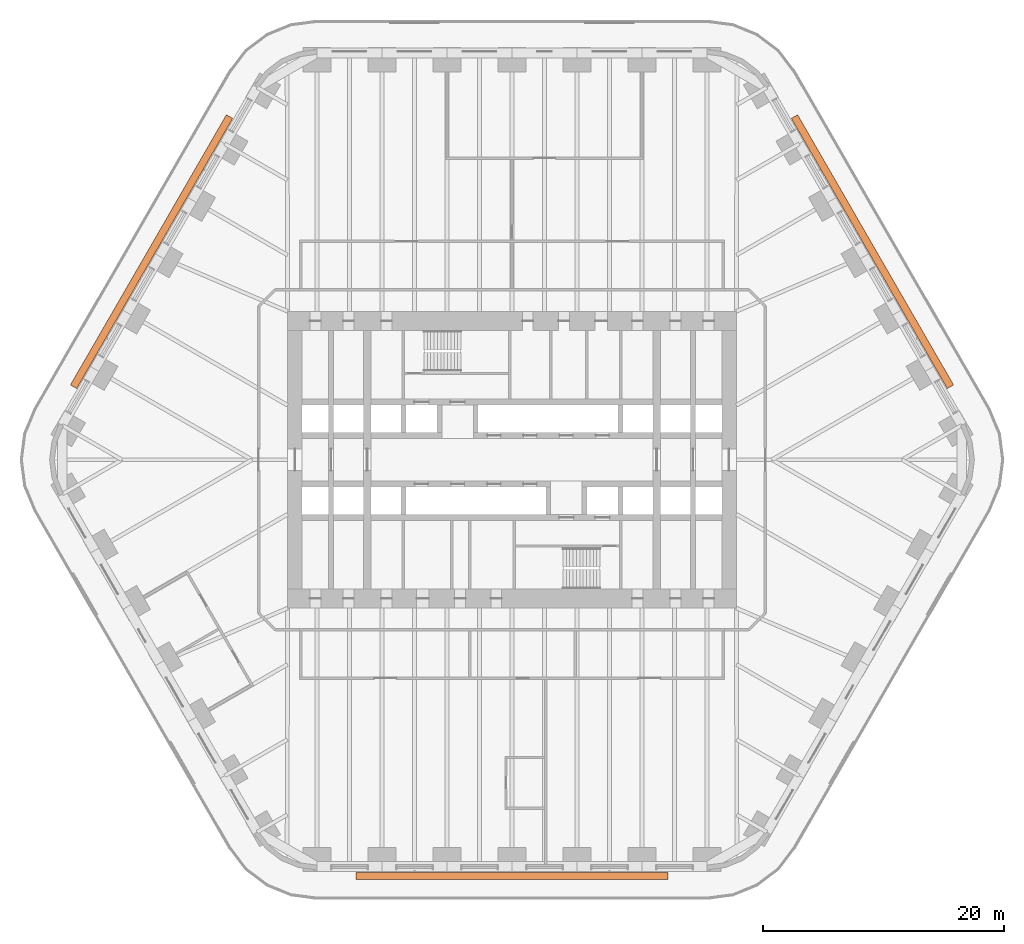
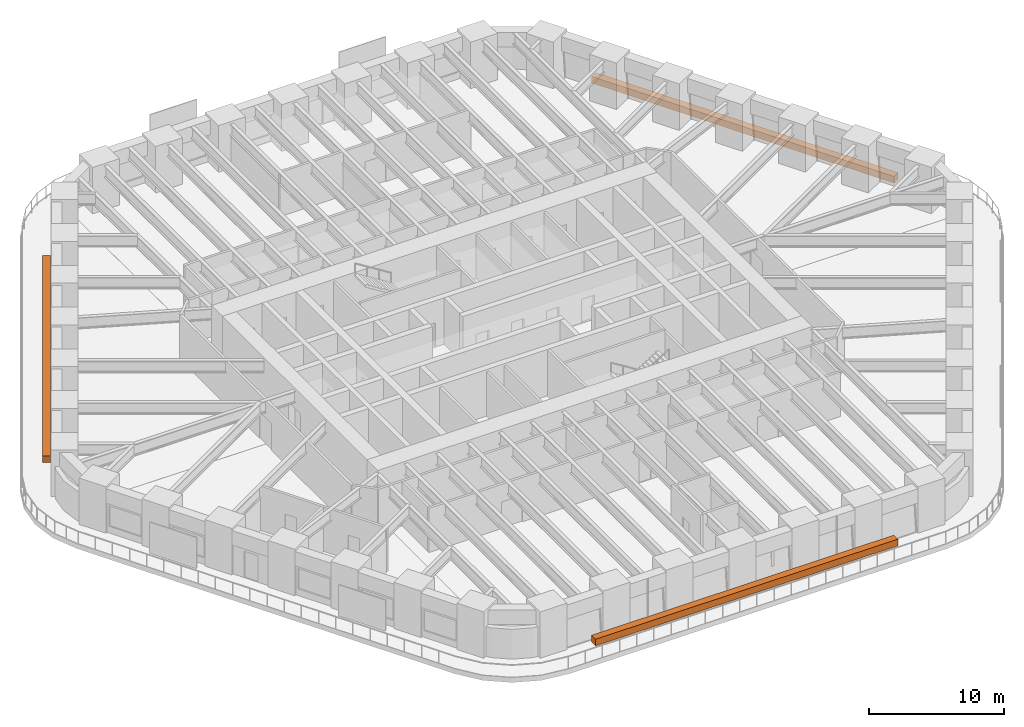
# One storey, part 23 of 23: 3 proxies.
"""IFC4 building model written with IfcOpenShell, lengths in metres."""

from ifc_helpers import new_model, si_unit, direction, frame, origin, origin_2d, place, context, subcontext, project, spatial, rectangle, extrude, material, element, save


model = new_model("IFC4")

# Units and contexts
model_context = context("Model", 3, precision=1e-05, world=origin(), true_north=direction((0.0, 1.0)))
body_context = subcontext(model_context, "Body", "Model", "MODEL_VIEW")
ifc_project = project(units=[si_unit("LENGTHUNIT", "METRE"), si_unit("AREAUNIT", "SQUARE_METRE"), si_unit("VOLUMEUNIT", "CUBIC_METRE"), si_unit("PLANEANGLEUNIT", "RADIAN"), si_unit("MASSUNIT", "GRAM", prefix="KILO")], contexts=[model_context])

# Site, building, storey
site_placement = place(None, origin())
site = spatial("IfcSite", under=ifc_project, at=site_placement, CompositionType="ELEMENT")
building_placement = place(site_placement, origin())
building = spatial("IfcBuilding", under=site, at=building_placement, Name="Tarfa Lantern Tower", CompositionType="ELEMENT")
storey_placement = place(building_placement, frame((0.0, 0.0, 31.89990234375)))
storey = spatial("IfcBuildingStorey", under=building, at=storey_placement, Name="L06", CompositionType="ELEMENT", Elevation=31.89990234375)

# Proxies
ifc_material = material(Name="Planting bed")
for number, where, z_axis, x_axis, name in (
    (1, (29.8779296875, 17.25, 0.0), (0.0, 0.0, 1.0), (-0.5, 0.866025403784, 0.0), "Balcony planter"),
    (2, (-29.8779296875, 17.25, 0.0), (0.0, 0.0, 1.0), (-0.5, -0.866025403784, 0.0), "Balcony planter"),
    (3, (0.0, -34.5, 0.0), (0.0, 0.0, 1.0), (1.0, 0.0, 0.0), "Balcony planter"),
):
    element("IfcBuildingElementProxy", number, at=place(storey_placement, frame(where, z_axis=z_axis, x_axis=x_axis)), inside=storey, material=ifc_material, Name=name, ObjectType="PLANTER", PredefinedType="USERDEFINED", context=body_context, shape_type="SweptSolid", body=[
        extrude(rectangle(XDim=25.865234375, YDim=0.60009765625, at=origin_2d()), origin(), (0.0, 0.0, 1.0), 0.60009765625),
    ])

save(model, "model.ifc")
